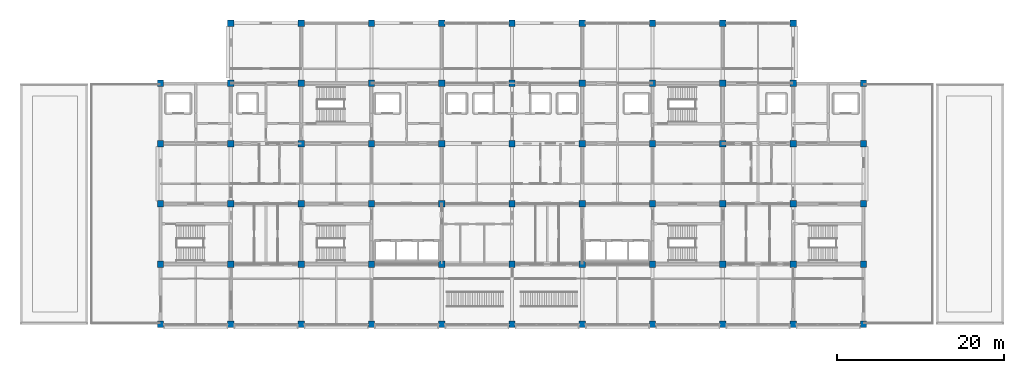
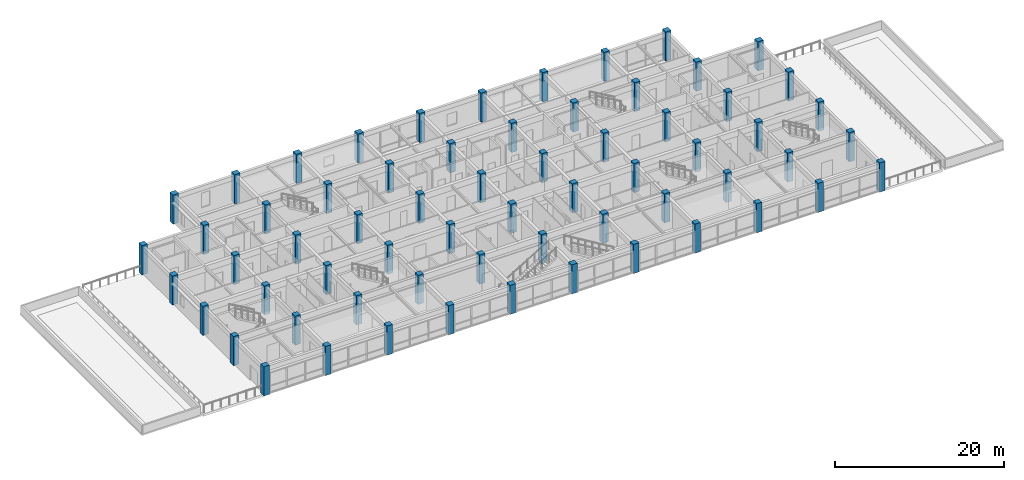
# One storey, part 1 of 27: 64 columns.
"""IFC4 building model written with IfcOpenShell, lengths in metres."""

from ifc_helpers import new_model, si_unit, direction, frame, origin, origin_2d, place, context, subcontext, project, spatial, rectangle, extrude, material, material_profile, profile_set, type_object, element, save


model = new_model("IFC4")

# Units and contexts
model_context = context("Model", 3, precision=1e-05, world=origin(), true_north=direction((0.0, 1.0)))
body_context = subcontext(model_context, "Body", "Model", "MODEL_VIEW")
ifc_project = project(units=[si_unit("LENGTHUNIT", "METRE"), si_unit("AREAUNIT", "SQUARE_METRE"), si_unit("VOLUMEUNIT", "CUBIC_METRE"), si_unit("PLANEANGLEUNIT", "RADIAN"), si_unit("MASSUNIT", "GRAM", prefix="KILO")], contexts=[model_context])

# Site, building, storey
site_placement = place(None, origin())
site = spatial("IfcSite", under=ifc_project, at=site_placement, CompositionType="ELEMENT")
building_placement = place(site_placement, origin())
building = spatial("IfcBuilding", under=site, at=building_placement, Name="Chengyuan Square Courthouse", CompositionType="ELEMENT")
storey_placement = place(building_placement, frame((0.0, 0.0, 35.10009765625)))
storey = spatial("IfcBuildingStorey", under=building, at=storey_placement, Name="L08", CompositionType="ELEMENT", Elevation=35.10009765625)

# Columns
ifc_material = material(Name="Concrete C40", Category="concrete")
ifc_material_profile = material_profile(ifc_material, rectangle(XDim=0.75, YDim=0.75, at=origin_2d()), Name="RC-COL-750x750")
ifc_profile_set = profile_set([ifc_material_profile], Name="Concrete C40")
column_type = type_object("IfcColumnType", Name="CL-05", PredefinedType="COLUMN", material=ifc_profile_set)
for number, where, z_axis, x_axis, name in (
    (1, (42.0, 79.199951171875, 0.0), (0.0, 0.0, 1.0), (1.0, 0.0, 0.0), "Column CL-L08-001"),
    (2, (42.0, 86.39990234375, 0.0), (0.0, 0.0, 1.0), (1.0, 0.0, 0.0), "Column CL-L08-002"),
    (3, (42.0, 93.60009765625, 0.0), (0.0, 0.0, 1.0), (1.0, 0.0, 0.0), "Column CL-L08-003"),
    (4, (42.0, 100.800048828125, 0.0), (0.0, 0.0, 1.0), (1.0, 0.0, 0.0), "Column CL-L08-004"),
    (5, (42.0, 108.0, 0.0), (0.0, 0.0, 1.0), (1.0, 0.0, 0.0), "Column CL-L08-005"),
    (6, (50.39990234375, 79.199951171875, 0.0), (0.0, 0.0, 1.0), (1.0, 0.0, 0.0), "Column CL-L08-006"),
    (7, (50.39990234375, 86.39990234375, 0.0), (0.0, 0.0, 1.0), (1.0, 0.0, 0.0), "Column CL-L08-007"),
    (8, (50.39990234375, 93.60009765625, 0.0), (0.0, 0.0, 1.0), (1.0, 0.0, 0.0), "Column CL-L08-008"),
    (9, (50.39990234375, 100.800048828125, 0.0), (0.0, 0.0, 1.0), (1.0, 0.0, 0.0), "Column CL-L08-009"),
    (10, (50.39990234375, 108.0, 0.0), (0.0, 0.0, 1.0), (1.0, 0.0, 0.0), "Column CL-L08-010"),
    (11, (50.39990234375, 115.199951171875, 0.0), (0.0, 0.0, 1.0), (1.0, 0.0, 0.0), "Column CL-L08-011"),
    (12, (58.800048828125, 79.199951171875, 0.0), (0.0, 0.0, 1.0), (1.0, 0.0, 0.0), "Column CL-L08-012"),
    (13, (58.800048828125, 86.39990234375, 0.0), (0.0, 0.0, 1.0), (1.0, 0.0, 0.0), "Column CL-L08-013"),
    (14, (58.800048828125, 93.60009765625, 0.0), (0.0, 0.0, 1.0), (1.0, 0.0, 0.0), "Column CL-L08-014"),
    (15, (58.800048828125, 100.800048828125, 0.0), (0.0, 0.0, 1.0), (1.0, 0.0, 0.0), "Column CL-L08-015"),
    (16, (58.800048828125, 108.0, 0.0), (0.0, 0.0, 1.0), (1.0, 0.0, 0.0), "Column CL-L08-016"),
    (17, (58.800048828125, 115.199951171875, 0.0), (0.0, 0.0, 1.0), (1.0, 0.0, 0.0), "Column CL-L08-017"),
    (18, (67.199951171875, 79.199951171875, 0.0), (0.0, 0.0, 1.0), (1.0, 0.0, 0.0), "Column CL-L08-018"),
    (19, (67.199951171875, 86.39990234375, 0.0), (0.0, 0.0, 1.0), (1.0, 0.0, 0.0), "Column CL-L08-019"),
    (20, (67.199951171875, 93.60009765625, 0.0), (0.0, 0.0, 1.0), (1.0, 0.0, 0.0), "Column CL-L08-020"),
    (21, (67.199951171875, 100.800048828125, 0.0), (0.0, 0.0, 1.0), (1.0, 0.0, 0.0), "Column CL-L08-021"),
    (22, (67.199951171875, 108.0, 0.0), (0.0, 0.0, 1.0), (1.0, 0.0, 0.0), "Column CL-L08-022"),
    (23, (67.199951171875, 115.199951171875, 0.0), (0.0, 0.0, 1.0), (1.0, 0.0, 0.0), "Column CL-L08-023"),
    (24, (75.60009765625, 79.199951171875, 0.0), (0.0, 0.0, 1.0), (1.0, 0.0, 0.0), "Column CL-L08-024"),
    (25, (75.60009765625, 86.39990234375, 0.0), (0.0, 0.0, 1.0), (1.0, 0.0, 0.0), "Column CL-L08-025"),
    (26, (75.60009765625, 93.60009765625, 0.0), (0.0, 0.0, 1.0), (1.0, 0.0, 0.0), "Column CL-L08-026"),
    (27, (75.60009765625, 100.800048828125, 0.0), (0.0, 0.0, 1.0), (1.0, 0.0, 0.0), "Column CL-L08-027"),
    (28, (75.60009765625, 108.0, 0.0), (0.0, 0.0, 1.0), (1.0, 0.0, 0.0), "Column CL-L08-028"),
    (29, (75.60009765625, 115.199951171875, 0.0), (0.0, 0.0, 1.0), (1.0, 0.0, 0.0), "Column CL-L08-029"),
    (30, (84.0, 79.199951171875, 0.0), (0.0, 0.0, 1.0), (1.0, 0.0, 0.0), "Column CL-L08-030"),
    (31, (84.0, 86.39990234375, 0.0), (0.0, 0.0, 1.0), (1.0, 0.0, 0.0), "Column CL-L08-031"),
    (32, (84.0, 93.60009765625, 0.0), (0.0, 0.0, 1.0), (1.0, 0.0, 0.0), "Column CL-L08-032"),
    (33, (84.0, 100.800048828125, 0.0), (0.0, 0.0, 1.0), (1.0, 0.0, 0.0), "Column CL-L08-033"),
    (34, (84.0, 108.0, 0.0), (0.0, 0.0, 1.0), (1.0, 0.0, 0.0), "Column CL-L08-034"),
    (35, (84.0, 115.199951171875, 0.0), (0.0, 0.0, 1.0), (1.0, 0.0, 0.0), "Column CL-L08-035"),
    (36, (92.39990234375, 79.199951171875, 0.0), (0.0, 0.0, 1.0), (1.0, 0.0, 0.0), "Column CL-L08-036"),
    (37, (92.39990234375, 86.39990234375, 0.0), (0.0, 0.0, 1.0), (1.0, 0.0, 0.0), "Column CL-L08-037"),
    (38, (92.39990234375, 93.60009765625, 0.0), (0.0, 0.0, 1.0), (1.0, 0.0, 0.0), "Column CL-L08-038"),
    (39, (92.39990234375, 100.800048828125, 0.0), (0.0, 0.0, 1.0), (1.0, 0.0, 0.0), "Column CL-L08-039"),
    (40, (92.39990234375, 108.0, 0.0), (0.0, 0.0, 1.0), (1.0, 0.0, 0.0), "Column CL-L08-040"),
    (41, (92.39990234375, 115.199951171875, 0.0), (0.0, 0.0, 1.0), (1.0, 0.0, 0.0), "Column CL-L08-041"),
    (42, (100.800048828125, 79.199951171875, 0.0), (0.0, 0.0, 1.0), (1.0, 0.0, 0.0), "Column CL-L08-042"),
    (43, (100.800048828125, 86.39990234375, 0.0), (0.0, 0.0, 1.0), (1.0, 0.0, 0.0), "Column CL-L08-043"),
    (44, (100.800048828125, 93.60009765625, 0.0), (0.0, 0.0, 1.0), (1.0, 0.0, 0.0), "Column CL-L08-044"),
    (45, (100.800048828125, 100.800048828125, 0.0), (0.0, 0.0, 1.0), (1.0, 0.0, 0.0), "Column CL-L08-045"),
    (46, (100.800048828125, 108.0, 0.0), (0.0, 0.0, 1.0), (1.0, 0.0, 0.0), "Column CL-L08-046"),
    (47, (100.800048828125, 115.199951171875, 0.0), (0.0, 0.0, 1.0), (1.0, 0.0, 0.0), "Column CL-L08-047"),
    (48, (109.199951171875, 79.199951171875, 0.0), (0.0, 0.0, 1.0), (1.0, 0.0, 0.0), "Column CL-L08-048"),
    (49, (109.199951171875, 86.39990234375, 0.0), (0.0, 0.0, 1.0), (1.0, 0.0, 0.0), "Column CL-L08-049"),
    (50, (109.199951171875, 93.60009765625, 0.0), (0.0, 0.0, 1.0), (1.0, 0.0, 0.0), "Column CL-L08-050"),
    (51, (109.199951171875, 100.800048828125, 0.0), (0.0, 0.0, 1.0), (1.0, 0.0, 0.0), "Column CL-L08-051"),
    (52, (109.199951171875, 108.0, 0.0), (0.0, 0.0, 1.0), (1.0, 0.0, 0.0), "Column CL-L08-052"),
    (53, (109.199951171875, 115.199951171875, 0.0), (0.0, 0.0, 1.0), (1.0, 0.0, 0.0), "Column CL-L08-053"),
    (54, (117.60009765625, 79.199951171875, 0.0), (0.0, 0.0, 1.0), (1.0, 0.0, 0.0), "Column CL-L08-054"),
    (55, (117.60009765625, 86.39990234375, 0.0), (0.0, 0.0, 1.0), (1.0, 0.0, 0.0), "Column CL-L08-055"),
    (56, (117.60009765625, 93.60009765625, 0.0), (0.0, 0.0, 1.0), (1.0, 0.0, 0.0), "Column CL-L08-056"),
    (57, (117.60009765625, 100.800048828125, 0.0), (0.0, 0.0, 1.0), (1.0, 0.0, 0.0), "Column CL-L08-057"),
    (58, (117.60009765625, 108.0, 0.0), (0.0, 0.0, 1.0), (1.0, 0.0, 0.0), "Column CL-L08-058"),
    (59, (117.60009765625, 115.199951171875, 0.0), (0.0, 0.0, 1.0), (1.0, 0.0, 0.0), "Column CL-L08-059"),
    (60, (126.0, 79.199951171875, 0.0), (0.0, 0.0, 1.0), (1.0, 0.0, 0.0), "Column CL-L08-060"),
    (61, (126.0, 86.39990234375, 0.0), (0.0, 0.0, 1.0), (1.0, 0.0, 0.0), "Column CL-L08-061"),
    (62, (126.0, 93.60009765625, 0.0), (0.0, 0.0, 1.0), (1.0, 0.0, 0.0), "Column CL-L08-062"),
    (63, (126.0, 100.800048828125, 0.0), (0.0, 0.0, 1.0), (1.0, 0.0, 0.0), "Column CL-L08-063"),
    (64, (126.0, 108.0, 0.0), (0.0, 0.0, 1.0), (1.0, 0.0, 0.0), "Column CL-L08-064"),
):
    element("IfcColumn", number, at=place(storey_placement, frame(where, z_axis=z_axis, x_axis=x_axis)), inside=storey, type_object=column_type, Name=name, PredefinedType="COLUMN", context=body_context, shape_type="SweptSolid", body=[
        extrude(rectangle(XDim=0.75, YDim=0.75, at=origin_2d()), origin(), (0.0, 0.0, 1.0), 4.199951171875),
    ])

save(model, "model.ifc")
